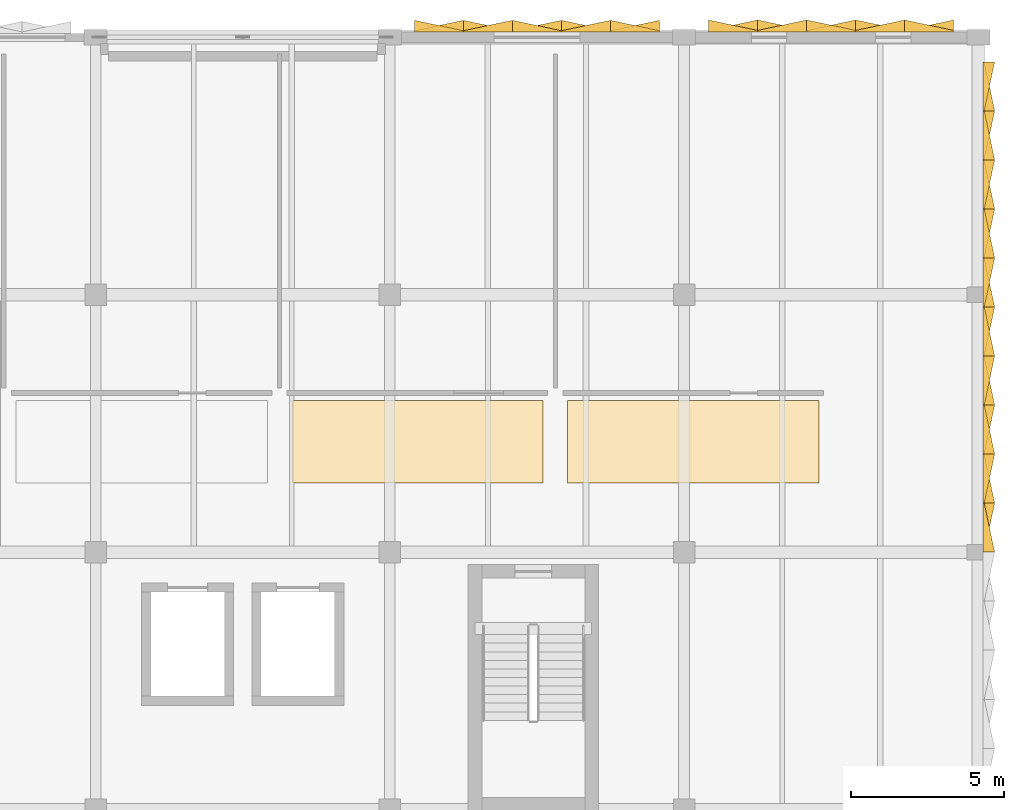
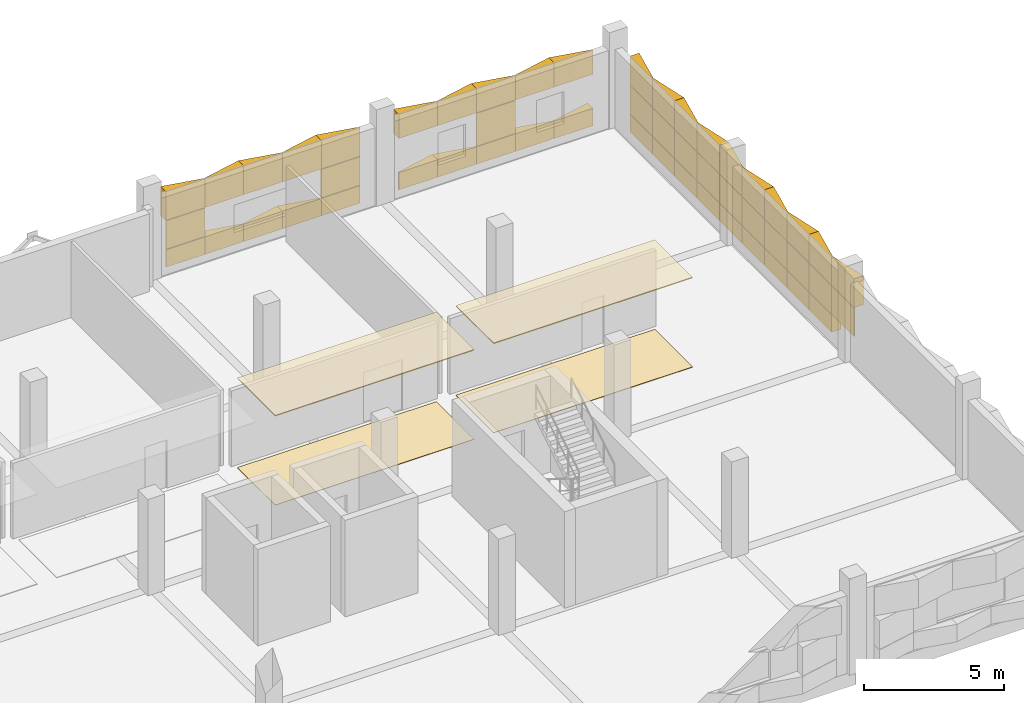
# One storey, part 57 of 57: 56 coverings.
"""IFC4 building model written with IfcOpenShell, lengths in metres."""

from ifc_helpers import new_model, si_unit, direction, frame, origin, place, context, subcontext, project, spatial, polyline, outline, extrude, material, layer, layer_set, type_object, element, save


model = new_model("IFC4")

# Units and contexts
model_context = context("Model", 3, precision=1e-05, world=origin(), true_north=direction((0.0, 1.0)))
body_context = subcontext(model_context, "Body", "Model", "MODEL_VIEW")
ifc_project = project(units=[si_unit("LENGTHUNIT", "METRE"), si_unit("AREAUNIT", "SQUARE_METRE"), si_unit("VOLUMEUNIT", "CUBIC_METRE"), si_unit("PLANEANGLEUNIT", "RADIAN"), si_unit("MASSUNIT", "GRAM", prefix="KILO")], contexts=[model_context])

# Site, building, storey
site_placement = place(None, origin())
site = spatial("IfcSite", under=ifc_project, at=site_placement, CompositionType="ELEMENT")
building_placement = place(site_placement, origin())
building = spatial("IfcBuilding", under=site, at=building_placement, Name="Oolite Switchyard Hospital", CompositionType="ELEMENT")
storey_placement = place(building_placement, frame((0.0, 0.0, 17.800048828125)))
storey = spatial("IfcBuildingStorey", under=building, at=storey_placement, Name="L04", CompositionType="ELEMENT", Elevation=17.800048828125)

# Coverings
ifc_material_1 = material(Name="Hygienic washable mineral-fibre acoustic ceiling")
ifc_layer_1 = layer(ifc_material_1, 0.0400390625)
ifc_layer_set_1 = layer_set([ifc_layer_1], Name="COV-CEIL-AC60")
covering_type_1 = type_object("IfcCoveringType", Name="COV-CEIL-AC60", PredefinedType="CEILING", material=ifc_layer_set_1)
covering_1_placement = place(storey_placement, frame((0.0, 0.0, 3.885009765625)))
element("IfcCovering", 1, at=covering_1_placement, inside=storey, type_object=covering_type_1, Name="L04 East Inpatient Oncology Ward Corridor Ceiling 7", PredefinedType="CEILING", context=body_context, shape_type="SweptSolid", body=[
    extrude(outline(polyline([(188.800048828125, 119.85009765625), (197.0, 119.85009765625), (197.0, 122.550048828125), (188.800048828125, 122.550048828125), (188.800048828125, 119.85009765625)])), origin(), (0.0, 0.0, 1.0), 0.0400390625),
])
covering_2_placement = place(storey_placement, frame((0.0, 0.0, 3.885009765625)))
element("IfcCovering", 2, at=covering_2_placement, inside=storey, type_object=covering_type_1, Name="L04 East Inpatient Oncology Ward Corridor Ceiling 8", PredefinedType="CEILING", context=body_context, shape_type="SweptSolid", body=[
    extrude(outline(polyline([(197.800048828125, 119.85009765625), (206.0, 119.85009765625), (206.0, 122.550048828125), (197.800048828125, 122.550048828125), (197.800048828125, 119.85009765625)])), origin(), (0.0, 0.0, 1.0), 0.0400390625),
])
ifc_material_2 = material(Name="Precast oolitic limestone architectural concrete C40/50", Category="masonry")
covering_type_2 = type_object("IfcCoveringType", Name="COV-CHEV-COOL", PredefinedType="CLADDING", material=ifc_material_2)
covering_3_placement = place(storey_placement, frame((192.800048828125, 134.570068359375, 0.050048828125), z_axis=(0.0, 0.0, 1.0), x_axis=(1.0, 0.0, 0.0)))
element("IfcCovering", 3, at=covering_3_placement, inside=storey, type_object=covering_type_2, Name="L04 Chevron Precast Oolite Panel 779", PredefinedType="CLADDING", context=body_context, shape_type="SweptSolid", body=[
    extrude(outline(polyline([(0.0, 0.0), (1.599853515625, 0.0), (1.599853515625, 0.385009765625), (0.0, 0.044921875), (0.0, 0.0)])), origin(), (0.0, 0.0, 1.0), 0.760009765625),
])
covering_4_placement = place(storey_placement, frame((192.800048828125, 134.570068359375, 2.08984375), z_axis=(0.0, 0.0, 1.0), x_axis=(1.0, 0.0, 0.0)))
element("IfcCovering", 4, at=covering_4_placement, inside=storey, type_object=covering_type_2, Name="L04 Chevron Precast Oolite Panel 780", PredefinedType="CLADDING", context=body_context, shape_type="SweptSolid", body=[
    extrude(outline(polyline([(0.0, 0.0), (1.599853515625, 0.0), (1.599853515625, 0.044921875), (0.0, 0.385009765625), (0.0, 0.0)])), origin(), (0.0, 0.0, 1.0), 1.25),
])
covering_5_placement = place(storey_placement, frame((192.800048828125, 134.570068359375, 0.829833984375), z_axis=(0.0, 0.0, 1.0), x_axis=(1.0, 0.0, 0.0)))
element("IfcCovering", 5, at=covering_5_placement, inside=storey, type_object=covering_type_2, Name="L04 Chevron Precast Oolite Panel 781", PredefinedType="CLADDING", context=body_context, shape_type="SweptSolid", body=[
    extrude(outline(polyline([(0.0, 0.0), (1.599853515625, 0.0), (1.599853515625, 0.385009765625), (0.0, 0.044921875), (0.0, 0.0)])), origin(), (0.0, 0.0, 1.0), 1.240234375),
])
covering_6_placement = place(storey_placement, frame((194.39990234375, 134.570068359375, 0.050048828125), z_axis=(0.0, 0.0, 1.0), x_axis=(1.0, 0.0, 0.0)))
element("IfcCovering", 6, at=covering_6_placement, inside=storey, type_object=covering_type_2, Name="L04 Chevron Precast Oolite Panel 782", PredefinedType="CLADDING", context=body_context, shape_type="SweptSolid", body=[
    extrude(outline(polyline([(0.0, 0.0), (1.60009765625, 0.0), (1.60009765625, 0.044921875), (0.0, 0.385009765625), (0.0, 0.0)])), origin(), (0.0, 0.0, 1.0), 0.760009765625),
])
covering_7_placement = place(storey_placement, frame((194.39990234375, 134.570068359375, 2.08984375), z_axis=(0.0, 0.0, 1.0), x_axis=(1.0, 0.0, 0.0)))
element("IfcCovering", 7, at=covering_7_placement, inside=storey, type_object=covering_type_2, Name="L04 Chevron Precast Oolite Panel 783", PredefinedType="CLADDING", context=body_context, shape_type="SweptSolid", body=[
    extrude(outline(polyline([(0.0, 0.0), (1.60009765625, 0.0), (1.60009765625, 0.385009765625), (0.0, 0.044921875), (0.0, 0.0)])), origin(), (0.0, 0.0, 1.0), 1.25),
])
covering_8_placement = place(storey_placement, frame((196.0, 134.570068359375, 0.050048828125), z_axis=(0.0, 0.0, 1.0), x_axis=(1.0, 0.0, 0.0)))
element("IfcCovering", 8, at=covering_8_placement, inside=storey, type_object=covering_type_2, Name="L04 Chevron Precast Oolite Panel 784", PredefinedType="CLADDING", context=body_context, shape_type="SweptSolid", body=[
    extrude(outline(polyline([(0.0, 0.0), (1.60009765625, 0.0), (1.60009765625, 0.385009765625), (0.0, 0.044921875), (0.0, 0.0)])), origin(), (0.0, 0.0, 1.0), 0.760009765625),
])
covering_9_placement = place(storey_placement, frame((196.0, 134.570068359375, 2.08984375), z_axis=(0.0, 0.0, 1.0), x_axis=(1.0, 0.0, 0.0)))
element("IfcCovering", 9, at=covering_9_placement, inside=storey, type_object=covering_type_2, Name="L04 Chevron Precast Oolite Panel 785", PredefinedType="CLADDING", context=body_context, shape_type="SweptSolid", body=[
    extrude(outline(polyline([(0.0, 0.0), (1.60009765625, 0.0), (1.60009765625, 0.044921875), (0.0, 0.385009765625), (0.0, 0.0)])), origin(), (0.0, 0.0, 1.0), 1.25),
])
covering_10_placement = place(storey_placement, frame((197.60009765625, 134.570068359375, 0.050048828125), z_axis=(0.0, 0.0, 1.0), x_axis=(1.0, 0.0, 0.0)))
element("IfcCovering", 10, at=covering_10_placement, inside=storey, type_object=covering_type_2, Name="L04 Chevron Precast Oolite Panel 786", PredefinedType="CLADDING", context=body_context, shape_type="SweptSolid", body=[
    extrude(outline(polyline([(0.0, 0.0), (1.599853515625, 0.0), (1.599853515625, 0.044921875), (0.0, 0.385009765625), (0.0, 0.0)])), origin(), (0.0, 0.0, 1.0), 0.760009765625),
])
covering_11_placement = place(storey_placement, frame((197.60009765625, 134.570068359375, 2.08984375), z_axis=(0.0, 0.0, 1.0), x_axis=(1.0, 0.0, 0.0)))
element("IfcCovering", 11, at=covering_11_placement, inside=storey, type_object=covering_type_2, Name="L04 Chevron Precast Oolite Panel 787", PredefinedType="CLADDING", context=body_context, shape_type="SweptSolid", body=[
    extrude(outline(polyline([(0.0, 0.0), (1.599853515625, 0.0), (1.599853515625, 0.385009765625), (0.0, 0.044921875), (0.0, 0.0)])), origin(), (0.0, 0.0, 1.0), 1.25),
])
covering_12_placement = place(storey_placement, frame((199.199951171875, 134.570068359375, 0.050048828125), z_axis=(0.0, 0.0, 1.0), x_axis=(1.0, 0.0, 0.0)))
element("IfcCovering", 12, at=covering_12_placement, inside=storey, type_object=covering_type_2, Name="L04 Chevron Precast Oolite Panel 788", PredefinedType="CLADDING", context=body_context, shape_type="SweptSolid", body=[
    extrude(outline(polyline([(0.0, 0.0), (1.60009765625, 0.0), (1.60009765625, 0.385009765625), (0.0, 0.044921875), (0.0, 0.0)])), origin(), (0.0, 0.0, 1.0), 0.760009765625),
])
covering_13_placement = place(storey_placement, frame((199.199951171875, 134.570068359375, 2.08984375), z_axis=(0.0, 0.0, 1.0), x_axis=(1.0, 0.0, 0.0)))
element("IfcCovering", 13, at=covering_13_placement, inside=storey, type_object=covering_type_2, Name="L04 Chevron Precast Oolite Panel 789", PredefinedType="CLADDING", context=body_context, shape_type="SweptSolid", body=[
    extrude(outline(polyline([(0.0, 0.0), (1.60009765625, 0.0), (1.60009765625, 0.044921875), (0.0, 0.385009765625), (0.0, 0.0)])), origin(), (0.0, 0.0, 1.0), 1.25),
])
covering_14_placement = place(storey_placement, frame((199.199951171875, 134.570068359375, 0.829833984375), z_axis=(0.0, 0.0, 1.0), x_axis=(1.0, 0.0, 0.0)))
element("IfcCovering", 14, at=covering_14_placement, inside=storey, type_object=covering_type_2, Name="L04 Chevron Precast Oolite Panel 790", PredefinedType="CLADDING", context=body_context, shape_type="SweptSolid", body=[
    extrude(outline(polyline([(0.0, 0.0), (1.60009765625, 0.0), (1.60009765625, 0.385009765625), (0.0, 0.044921875), (0.0, 0.0)])), origin(), (0.0, 0.0, 1.0), 1.240234375),
])
covering_15_placement = place(storey_placement, frame((202.39990234375, 134.580078125, 0.050048828125), z_axis=(0.0, 0.0, 1.0), x_axis=(1.0, 0.0, 0.0)))
element("IfcCovering", 15, at=covering_15_placement, inside=storey, type_object=covering_type_2, Name="L04 Chevron Precast Oolite Panel 791", PredefinedType="CLADDING", context=body_context, shape_type="SweptSolid", body=[
    extrude(outline(polyline([(0.0, 0.0), (1.60009765625, 0.0), (1.60009765625, 0.385009765625), (0.0, 0.044921875), (0.0, 0.0)])), origin(), (0.0, 0.0, 1.0), 0.760009765625),
])
covering_16_placement = place(storey_placement, frame((202.39990234375, 134.580078125, 2.2900390625), z_axis=(0.0, 0.0, 1.0), x_axis=(1.0, 0.0, 0.0)))
element("IfcCovering", 16, at=covering_16_placement, inside=storey, type_object=covering_type_2, Name="L04 Chevron Precast Oolite Panel 792", PredefinedType="CLADDING", context=body_context, shape_type="SweptSolid", body=[
    extrude(outline(polyline([(0.0, 0.0), (1.60009765625, 0.0), (1.60009765625, 0.044921875), (0.0, 0.385009765625), (0.0, 0.0)])), origin(), (0.0, 0.0, 1.0), 1.0498046875),
])
covering_17_placement = place(storey_placement, frame((204.0, 134.580078125, 0.050048828125), z_axis=(0.0, 0.0, 1.0), x_axis=(1.0, 0.0, 0.0)))
element("IfcCovering", 17, at=covering_17_placement, inside=storey, type_object=covering_type_2, Name="L04 Chevron Precast Oolite Panel 793", PredefinedType="CLADDING", context=body_context, shape_type="SweptSolid", body=[
    extrude(outline(polyline([(0.0, 0.0), (1.60009765625, 0.0), (1.60009765625, 0.044921875), (0.0, 0.385009765625), (0.0, 0.0)])), origin(), (0.0, 0.0, 1.0), 0.760009765625),
])
covering_18_placement = place(storey_placement, frame((204.0, 134.580078125, 2.2900390625), z_axis=(0.0, 0.0, 1.0), x_axis=(1.0, 0.0, 0.0)))
element("IfcCovering", 18, at=covering_18_placement, inside=storey, type_object=covering_type_2, Name="L04 Chevron Precast Oolite Panel 794", PredefinedType="CLADDING", context=body_context, shape_type="SweptSolid", body=[
    extrude(outline(polyline([(0.0, 0.0), (1.60009765625, 0.0), (1.60009765625, 0.385009765625), (0.0, 0.044921875), (0.0, 0.0)])), origin(), (0.0, 0.0, 1.0), 1.0498046875),
])
covering_19_placement = place(storey_placement, frame((205.60009765625, 134.580078125, 0.050048828125), z_axis=(0.0, 0.0, 1.0), x_axis=(1.0, 0.0, 0.0)))
element("IfcCovering", 19, at=covering_19_placement, inside=storey, type_object=covering_type_2, Name="L04 Chevron Precast Oolite Panel 795", PredefinedType="CLADDING", context=body_context, shape_type="SweptSolid", body=[
    extrude(outline(polyline([(0.0, 0.0), (1.599853515625, 0.0), (1.599853515625, 0.385009765625), (0.0, 0.044921875), (0.0, 0.0)])), origin(), (0.0, 0.0, 1.0), 0.760009765625),
])
covering_20_placement = place(storey_placement, frame((205.60009765625, 134.580078125, 2.2900390625), z_axis=(0.0, 0.0, 1.0), x_axis=(1.0, 0.0, 0.0)))
element("IfcCovering", 20, at=covering_20_placement, inside=storey, type_object=covering_type_2, Name="L04 Chevron Precast Oolite Panel 796", PredefinedType="CLADDING", context=body_context, shape_type="SweptSolid", body=[
    extrude(outline(polyline([(0.0, 0.0), (1.599853515625, 0.0), (1.599853515625, 0.044921875), (0.0, 0.385009765625), (0.0, 0.0)])), origin(), (0.0, 0.0, 1.0), 1.0498046875),
])
covering_21_placement = place(storey_placement, frame((205.60009765625, 134.580078125, 0.829833984375), z_axis=(0.0, 0.0, 1.0), x_axis=(1.0, 0.0, 0.0)))
element("IfcCovering", 21, at=covering_21_placement, inside=storey, type_object=covering_type_2, Name="L04 Chevron Precast Oolite Panel 797", PredefinedType="CLADDING", context=body_context, shape_type="SweptSolid", body=[
    extrude(outline(polyline([(0.0, 0.0), (1.599853515625, 0.0), (1.599853515625, 0.385009765625), (0.0, 0.044921875), (0.0, 0.0)])), origin(), (0.0, 0.0, 1.0), 1.440185546875),
])
covering_22_placement = place(storey_placement, frame((207.199951171875, 134.580078125, 0.050048828125), z_axis=(0.0, 0.0, 1.0), x_axis=(1.0, 0.0, 0.0)))
element("IfcCovering", 22, at=covering_22_placement, inside=storey, type_object=covering_type_2, Name="L04 Chevron Precast Oolite Panel 798", PredefinedType="CLADDING", context=body_context, shape_type="SweptSolid", body=[
    extrude(outline(polyline([(0.0, 0.0), (1.60009765625, 0.0), (1.60009765625, 0.044921875), (0.0, 0.385009765625), (0.0, 0.0)])), origin(), (0.0, 0.0, 1.0), 0.760009765625),
])
covering_23_placement = place(storey_placement, frame((207.199951171875, 134.580078125, 2.2900390625), z_axis=(0.0, 0.0, 1.0), x_axis=(1.0, 0.0, 0.0)))
element("IfcCovering", 23, at=covering_23_placement, inside=storey, type_object=covering_type_2, Name="L04 Chevron Precast Oolite Panel 799", PredefinedType="CLADDING", context=body_context, shape_type="SweptSolid", body=[
    extrude(outline(polyline([(0.0, 0.0), (1.60009765625, 0.0), (1.60009765625, 0.385009765625), (0.0, 0.044921875), (0.0, 0.0)])), origin(), (0.0, 0.0, 1.0), 1.0498046875),
])
covering_24_placement = place(storey_placement, frame((208.800048828125, 134.580078125, 0.050048828125), z_axis=(0.0, 0.0, 1.0), x_axis=(1.0, 0.0, 0.0)))
element("IfcCovering", 24, at=covering_24_placement, inside=storey, type_object=covering_type_2, Name="L04 Chevron Precast Oolite Panel 800", PredefinedType="CLADDING", context=body_context, shape_type="SweptSolid", body=[
    extrude(outline(polyline([(0.0, 0.0), (1.599853515625, 0.0), (1.599853515625, 0.385009765625), (0.0, 0.044921875), (0.0, 0.0)])), origin(), (0.0, 0.0, 1.0), 0.760009765625),
])
covering_25_placement = place(storey_placement, frame((208.800048828125, 134.580078125, 2.2900390625), z_axis=(0.0, 0.0, 1.0), x_axis=(1.0, 0.0, 0.0)))
element("IfcCovering", 25, at=covering_25_placement, inside=storey, type_object=covering_type_2, Name="L04 Chevron Precast Oolite Panel 801", PredefinedType="CLADDING", context=body_context, shape_type="SweptSolid", body=[
    extrude(outline(polyline([(0.0, 0.0), (1.599853515625, 0.0), (1.599853515625, 0.044921875), (0.0, 0.385009765625), (0.0, 0.0)])), origin(), (0.0, 0.0, 1.0), 1.0498046875),
])
covering_26_placement = place(storey_placement, frame((211.35009765625, 133.60009765625, 0.050048828125), z_axis=(0.0, 0.0, 1.0), x_axis=(0.0, -1.0, 0.0)))
element("IfcCovering", 26, at=covering_26_placement, inside=storey, type_object=covering_type_2, Name="L04 Chevron Precast Oolite Panel 987", PredefinedType="CLADDING", context=body_context, shape_type="SweptSolid", body=[
    extrude(outline(polyline([(0.0, 0.0), (1.60009765625, 0.0), (1.60009765625, 0.385009765625), (0.0, 0.044921875), (0.0, 0.0)])), origin(), (0.0, 0.0, 1.0), 0.760009765625),
])
covering_27_placement = place(storey_placement, frame((211.35009765625, 133.60009765625, 2.08984375), z_axis=(0.0, 0.0, 1.0), x_axis=(0.0, -1.0, 0.0)))
element("IfcCovering", 27, at=covering_27_placement, inside=storey, type_object=covering_type_2, Name="L04 Chevron Precast Oolite Panel 988", PredefinedType="CLADDING", context=body_context, shape_type="SweptSolid", body=[
    extrude(outline(polyline([(0.0, 0.0), (1.60009765625, 0.0), (1.60009765625, 0.044921875), (0.0, 0.385009765625), (0.0, 0.0)])), origin(), (0.0, 0.0, 1.0), 1.25),
])
covering_28_placement = place(storey_placement, frame((211.35009765625, 133.60009765625, 0.829833984375), z_axis=(0.0, 0.0, 1.0), x_axis=(0.0, -1.0, 0.0)))
element("IfcCovering", 28, at=covering_28_placement, inside=storey, type_object=covering_type_2, Name="L04 Chevron Precast Oolite Panel 989", PredefinedType="CLADDING", context=body_context, shape_type="SweptSolid", body=[
    extrude(outline(polyline([(0.0, 0.0), (1.60009765625, 0.0), (1.60009765625, 0.385009765625), (0.0, 0.044921875), (0.0, 0.0)])), origin(), (0.0, 0.0, 1.0), 1.240234375),
])
covering_29_placement = place(storey_placement, frame((211.35009765625, 132.0, 0.050048828125), z_axis=(0.0, 0.0, 1.0), x_axis=(0.0, -1.0, 0.0)))
element("IfcCovering", 29, at=covering_29_placement, inside=storey, type_object=covering_type_2, Name="L04 Chevron Precast Oolite Panel 990", PredefinedType="CLADDING", context=body_context, shape_type="SweptSolid", body=[
    extrude(outline(polyline([(0.0, 0.0), (1.60009765625, 0.0), (1.60009765625, 0.044921875), (0.0, 0.385009765625), (0.0, 0.0)])), origin(), (0.0, 0.0, 1.0), 0.760009765625),
])
covering_30_placement = place(storey_placement, frame((211.35009765625, 132.0, 2.08984375), z_axis=(0.0, 0.0, 1.0), x_axis=(0.0, -1.0, 0.0)))
element("IfcCovering", 30, at=covering_30_placement, inside=storey, type_object=covering_type_2, Name="L04 Chevron Precast Oolite Panel 991", PredefinedType="CLADDING", context=body_context, shape_type="SweptSolid", body=[
    extrude(outline(polyline([(0.0, 0.0), (1.60009765625, 0.0), (1.60009765625, 0.385009765625), (0.0, 0.044921875), (0.0, 0.0)])), origin(), (0.0, 0.0, 1.0), 1.25),
])
covering_31_placement = place(storey_placement, frame((211.35009765625, 132.0, 0.829833984375), z_axis=(0.0, 0.0, 1.0), x_axis=(0.0, -1.0, 0.0)))
element("IfcCovering", 31, at=covering_31_placement, inside=storey, type_object=covering_type_2, Name="L04 Chevron Precast Oolite Panel 992", PredefinedType="CLADDING", context=body_context, shape_type="SweptSolid", body=[
    extrude(outline(polyline([(0.0, 0.0), (1.60009765625, 0.0), (1.60009765625, 0.044921875), (0.0, 0.385009765625), (0.0, 0.0)])), origin(), (0.0, 0.0, 1.0), 1.240234375),
])
covering_32_placement = place(storey_placement, frame((211.35009765625, 130.39990234375, 0.050048828125), z_axis=(0.0, 0.0, 1.0), x_axis=(0.0, -1.0, 0.0)))
element("IfcCovering", 32, at=covering_32_placement, inside=storey, type_object=covering_type_2, Name="L04 Chevron Precast Oolite Panel 993", PredefinedType="CLADDING", context=body_context, shape_type="SweptSolid", body=[
    extrude(outline(polyline([(0.0, 0.0), (1.599853515625, 0.0), (1.599853515625, 0.385009765625), (0.0, 0.044921875), (0.0, 0.0)])), origin(), (0.0, 0.0, 1.0), 0.760009765625),
])
covering_33_placement = place(storey_placement, frame((211.35009765625, 130.39990234375, 2.08984375), z_axis=(0.0, 0.0, 1.0), x_axis=(0.0, -1.0, 0.0)))
element("IfcCovering", 33, at=covering_33_placement, inside=storey, type_object=covering_type_2, Name="L04 Chevron Precast Oolite Panel 994", PredefinedType="CLADDING", context=body_context, shape_type="SweptSolid", body=[
    extrude(outline(polyline([(0.0, 0.0), (1.599853515625, 0.0), (1.599853515625, 0.044921875), (0.0, 0.385009765625), (0.0, 0.0)])), origin(), (0.0, 0.0, 1.0), 1.25),
])
covering_34_placement = place(storey_placement, frame((211.35009765625, 130.39990234375, 0.829833984375), z_axis=(0.0, 0.0, 1.0), x_axis=(0.0, -1.0, 0.0)))
element("IfcCovering", 34, at=covering_34_placement, inside=storey, type_object=covering_type_2, Name="L04 Chevron Precast Oolite Panel 995", PredefinedType="CLADDING", context=body_context, shape_type="SweptSolid", body=[
    extrude(outline(polyline([(0.0, 0.0), (1.599853515625, 0.0), (1.599853515625, 0.385009765625), (0.0, 0.044921875), (0.0, 0.0)])), origin(), (0.0, 0.0, 1.0), 1.240234375),
])
covering_35_placement = place(storey_placement, frame((211.35009765625, 128.800048828125, 0.050048828125), z_axis=(0.0, 0.0, 1.0), x_axis=(0.0, -1.0, 0.0)))
element("IfcCovering", 35, at=covering_35_placement, inside=storey, type_object=covering_type_2, Name="L04 Chevron Precast Oolite Panel 996", PredefinedType="CLADDING", context=body_context, shape_type="SweptSolid", body=[
    extrude(outline(polyline([(0.0, 0.0), (1.60009765625, 0.0), (1.60009765625, 0.044921875), (0.0, 0.385009765625), (0.0, 0.0)])), origin(), (0.0, 0.0, 1.0), 0.760009765625),
])
covering_36_placement = place(storey_placement, frame((211.35009765625, 128.800048828125, 2.08984375), z_axis=(0.0, 0.0, 1.0), x_axis=(0.0, -1.0, 0.0)))
element("IfcCovering", 36, at=covering_36_placement, inside=storey, type_object=covering_type_2, Name="L04 Chevron Precast Oolite Panel 997", PredefinedType="CLADDING", context=body_context, shape_type="SweptSolid", body=[
    extrude(outline(polyline([(0.0, 0.0), (1.60009765625, 0.0), (1.60009765625, 0.385009765625), (0.0, 0.044921875), (0.0, 0.0)])), origin(), (0.0, 0.0, 1.0), 1.25),
])
covering_37_placement = place(storey_placement, frame((211.35009765625, 128.800048828125, 0.829833984375), z_axis=(0.0, 0.0, 1.0), x_axis=(0.0, -1.0, 0.0)))
element("IfcCovering", 37, at=covering_37_placement, inside=storey, type_object=covering_type_2, Name="L04 Chevron Precast Oolite Panel 998", PredefinedType="CLADDING", context=body_context, shape_type="SweptSolid", body=[
    extrude(outline(polyline([(0.0, 0.0), (1.60009765625, 0.0), (1.60009765625, 0.044921875), (0.0, 0.385009765625), (0.0, 0.0)])), origin(), (0.0, 0.0, 1.0), 1.240234375),
])
covering_38_placement = place(storey_placement, frame((211.35009765625, 127.199951171875, 0.050048828125), z_axis=(0.0, 0.0, 1.0), x_axis=(0.0, -1.0, 0.0)))
element("IfcCovering", 38, at=covering_38_placement, inside=storey, type_object=covering_type_2, Name="L04 Chevron Precast Oolite Panel 999", PredefinedType="CLADDING", context=body_context, shape_type="SweptSolid", body=[
    extrude(outline(polyline([(0.0, 0.0), (1.599853515625, 0.0), (1.599853515625, 0.385009765625), (0.0, 0.044921875), (0.0, 0.0)])), origin(), (0.0, 0.0, 1.0), 0.760009765625),
])
covering_39_placement = place(storey_placement, frame((211.35009765625, 127.199951171875, 2.08984375), z_axis=(0.0, 0.0, 1.0), x_axis=(0.0, -1.0, 0.0)))
element("IfcCovering", 39, at=covering_39_placement, inside=storey, type_object=covering_type_2, Name="L04 Chevron Precast Oolite Panel 1000", PredefinedType="CLADDING", context=body_context, shape_type="SweptSolid", body=[
    extrude(outline(polyline([(0.0, 0.0), (1.599853515625, 0.0), (1.599853515625, 0.044921875), (0.0, 0.385009765625), (0.0, 0.0)])), origin(), (0.0, 0.0, 1.0), 1.25),
])
covering_40_placement = place(storey_placement, frame((211.35009765625, 127.199951171875, 0.829833984375), z_axis=(0.0, 0.0, 1.0), x_axis=(0.0, -1.0, 0.0)))
element("IfcCovering", 40, at=covering_40_placement, inside=storey, type_object=covering_type_2, Name="L04 Chevron Precast Oolite Panel 1001", PredefinedType="CLADDING", context=body_context, shape_type="SweptSolid", body=[
    extrude(outline(polyline([(0.0, 0.0), (1.599853515625, 0.0), (1.599853515625, 0.385009765625), (0.0, 0.044921875), (0.0, 0.0)])), origin(), (0.0, 0.0, 1.0), 1.240234375),
])
covering_41_placement = place(storey_placement, frame((211.35009765625, 125.60009765625, 0.050048828125), z_axis=(0.0, 0.0, 1.0), x_axis=(0.0, -1.0, 0.0)))
element("IfcCovering", 41, at=covering_41_placement, inside=storey, type_object=covering_type_2, Name="L04 Chevron Precast Oolite Panel 1002", PredefinedType="CLADDING", context=body_context, shape_type="SweptSolid", body=[
    extrude(outline(polyline([(0.0, 0.0), (1.60009765625, 0.0), (1.60009765625, 0.044921875), (0.0, 0.385009765625), (0.0, 0.0)])), origin(), (0.0, 0.0, 1.0), 0.760009765625),
])
covering_42_placement = place(storey_placement, frame((211.35009765625, 125.60009765625, 2.08984375), z_axis=(0.0, 0.0, 1.0), x_axis=(0.0, -1.0, 0.0)))
element("IfcCovering", 42, at=covering_42_placement, inside=storey, type_object=covering_type_2, Name="L04 Chevron Precast Oolite Panel 1003", PredefinedType="CLADDING", context=body_context, shape_type="SweptSolid", body=[
    extrude(outline(polyline([(0.0, 0.0), (1.60009765625, 0.0), (1.60009765625, 0.385009765625), (0.0, 0.044921875), (0.0, 0.0)])), origin(), (0.0, 0.0, 1.0), 1.25),
])
covering_43_placement = place(storey_placement, frame((211.35009765625, 125.60009765625, 0.829833984375), z_axis=(0.0, 0.0, 1.0), x_axis=(0.0, -1.0, 0.0)))
element("IfcCovering", 43, at=covering_43_placement, inside=storey, type_object=covering_type_2, Name="L04 Chevron Precast Oolite Panel 1004", PredefinedType="CLADDING", context=body_context, shape_type="SweptSolid", body=[
    extrude(outline(polyline([(0.0, 0.0), (1.60009765625, 0.0), (1.60009765625, 0.044921875), (0.0, 0.385009765625), (0.0, 0.0)])), origin(), (0.0, 0.0, 1.0), 1.240234375),
])
covering_44_placement = place(storey_placement, frame((211.35009765625, 124.0, 0.050048828125), z_axis=(0.0, 0.0, 1.0), x_axis=(0.0, -1.0, 0.0)))
element("IfcCovering", 44, at=covering_44_placement, inside=storey, type_object=covering_type_2, Name="L04 Chevron Precast Oolite Panel 1005", PredefinedType="CLADDING", context=body_context, shape_type="SweptSolid", body=[
    extrude(outline(polyline([(0.0, 0.0), (1.60009765625, 0.0), (1.60009765625, 0.385009765625), (0.0, 0.044921875), (0.0, 0.0)])), origin(), (0.0, 0.0, 1.0), 0.760009765625),
])
covering_45_placement = place(storey_placement, frame((211.35009765625, 124.0, 2.08984375), z_axis=(0.0, 0.0, 1.0), x_axis=(0.0, -1.0, 0.0)))
element("IfcCovering", 45, at=covering_45_placement, inside=storey, type_object=covering_type_2, Name="L04 Chevron Precast Oolite Panel 1006", PredefinedType="CLADDING", context=body_context, shape_type="SweptSolid", body=[
    extrude(outline(polyline([(0.0, 0.0), (1.60009765625, 0.0), (1.60009765625, 0.044921875), (0.0, 0.385009765625), (0.0, 0.0)])), origin(), (0.0, 0.0, 1.0), 1.25),
])
covering_46_placement = place(storey_placement, frame((211.35009765625, 124.0, 0.829833984375), z_axis=(0.0, 0.0, 1.0), x_axis=(0.0, -1.0, 0.0)))
element("IfcCovering", 46, at=covering_46_placement, inside=storey, type_object=covering_type_2, Name="L04 Chevron Precast Oolite Panel 1007", PredefinedType="CLADDING", context=body_context, shape_type="SweptSolid", body=[
    extrude(outline(polyline([(0.0, 0.0), (1.60009765625, 0.0), (1.60009765625, 0.385009765625), (0.0, 0.044921875), (0.0, 0.0)])), origin(), (0.0, 0.0, 1.0), 1.240234375),
])
covering_47_placement = place(storey_placement, frame((211.35009765625, 122.39990234375, 0.050048828125), z_axis=(0.0, 0.0, 1.0), x_axis=(0.0, -1.0, 0.0)))
element("IfcCovering", 47, at=covering_47_placement, inside=storey, type_object=covering_type_2, Name="L04 Chevron Precast Oolite Panel 1008", PredefinedType="CLADDING", context=body_context, shape_type="SweptSolid", body=[
    extrude(outline(polyline([(0.0, 0.0), (1.599853515625, 0.0), (1.599853515625, 0.044921875), (0.0, 0.385009765625), (0.0, 0.0)])), origin(), (0.0, 0.0, 1.0), 0.760009765625),
])
covering_48_placement = place(storey_placement, frame((211.35009765625, 122.39990234375, 2.08984375), z_axis=(0.0, 0.0, 1.0), x_axis=(0.0, -1.0, 0.0)))
element("IfcCovering", 48, at=covering_48_placement, inside=storey, type_object=covering_type_2, Name="L04 Chevron Precast Oolite Panel 1009", PredefinedType="CLADDING", context=body_context, shape_type="SweptSolid", body=[
    extrude(outline(polyline([(0.0, 0.0), (1.599853515625, 0.0), (1.599853515625, 0.385009765625), (0.0, 0.044921875), (0.0, 0.0)])), origin(), (0.0, 0.0, 1.0), 1.25),
])
covering_49_placement = place(storey_placement, frame((211.35009765625, 122.39990234375, 0.829833984375), z_axis=(0.0, 0.0, 1.0), x_axis=(0.0, -1.0, 0.0)))
element("IfcCovering", 49, at=covering_49_placement, inside=storey, type_object=covering_type_2, Name="L04 Chevron Precast Oolite Panel 1010", PredefinedType="CLADDING", context=body_context, shape_type="SweptSolid", body=[
    extrude(outline(polyline([(0.0, 0.0), (1.599853515625, 0.0), (1.599853515625, 0.044921875), (0.0, 0.385009765625), (0.0, 0.0)])), origin(), (0.0, 0.0, 1.0), 1.240234375),
])
covering_50_placement = place(storey_placement, frame((211.35009765625, 120.800048828125, 0.050048828125), z_axis=(0.0, 0.0, 1.0), x_axis=(0.0, -1.0, 0.0)))
element("IfcCovering", 50, at=covering_50_placement, inside=storey, type_object=covering_type_2, Name="L04 Chevron Precast Oolite Panel 1011", PredefinedType="CLADDING", context=body_context, shape_type="SweptSolid", body=[
    extrude(outline(polyline([(0.0, 0.0), (1.60009765625, 0.0), (1.60009765625, 0.385009765625), (0.0, 0.044921875), (0.0, 0.0)])), origin(), (0.0, 0.0, 1.0), 0.760009765625),
])
covering_51_placement = place(storey_placement, frame((211.35009765625, 120.800048828125, 2.08984375), z_axis=(0.0, 0.0, 1.0), x_axis=(0.0, -1.0, 0.0)))
element("IfcCovering", 51, at=covering_51_placement, inside=storey, type_object=covering_type_2, Name="L04 Chevron Precast Oolite Panel 1012", PredefinedType="CLADDING", context=body_context, shape_type="SweptSolid", body=[
    extrude(outline(polyline([(0.0, 0.0), (1.60009765625, 0.0), (1.60009765625, 0.044921875), (0.0, 0.385009765625), (0.0, 0.0)])), origin(), (0.0, 0.0, 1.0), 1.25),
])
covering_52_placement = place(storey_placement, frame((211.35009765625, 120.800048828125, 0.829833984375), z_axis=(0.0, 0.0, 1.0), x_axis=(0.0, -1.0, 0.0)))
element("IfcCovering", 52, at=covering_52_placement, inside=storey, type_object=covering_type_2, Name="L04 Chevron Precast Oolite Panel 1013", PredefinedType="CLADDING", context=body_context, shape_type="SweptSolid", body=[
    extrude(outline(polyline([(0.0, 0.0), (1.60009765625, 0.0), (1.60009765625, 0.385009765625), (0.0, 0.044921875), (0.0, 0.0)])), origin(), (0.0, 0.0, 1.0), 1.240234375),
])
covering_53_placement = place(storey_placement, frame((211.35009765625, 119.199951171875, 2.08984375), z_axis=(0.0, 0.0, 1.0), x_axis=(0.0, -1.0, 0.0)))
element("IfcCovering", 53, at=covering_53_placement, inside=storey, type_object=covering_type_2, Name="L04 Chevron Precast Oolite Panel 1015", PredefinedType="CLADDING", context=body_context, shape_type="SweptSolid", body=[
    extrude(outline(polyline([(0.0, 0.0), (1.599853515625, 0.0), (1.599853515625, 0.385009765625), (0.0, 0.044921875), (0.0, 0.0)])), origin(), (0.0, 0.0, 1.0), 1.25),
])
covering_54_placement = place(storey_placement, frame((211.35009765625, 119.199951171875, 0.829833984375), z_axis=(0.0, 0.0, 1.0), x_axis=(0.0, -1.0, 0.0)))
element("IfcCovering", 54, at=covering_54_placement, inside=storey, type_object=covering_type_2, Name="L04 Chevron Precast Oolite Panel 1016", PredefinedType="CLADDING", context=body_context, shape_type="SweptSolid", body=[
    extrude(outline(polyline([(0.0, 0.0), (1.599853515625, 0.0), (1.599853515625, 0.044921875), (0.0, 0.385009765625), (0.0, 0.0)])), origin(), (0.0, 0.0, 1.0), 1.240234375),
])
ifc_material_3 = material(Name="Epoxy terrazzo seamless clinical flooring")
ifc_layer_2 = layer(ifc_material_3, 0.02001953125)
ifc_layer_set_2 = layer_set([ifc_layer_2], Name="COV-FLR-TER20")
covering_type_3 = type_object("IfcCoveringType", Name="COV-FLR-TER20", PredefinedType="FLOORING", material=ifc_layer_set_2)
covering_55_placement = place(storey_placement, origin())
element("IfcCovering", 55, at=covering_55_placement, inside=storey, type_object=covering_type_3, Name="L04 East Inpatient Oncology Ward Corridor Flooring 7", PredefinedType="FLOORING", context=body_context, shape_type="SweptSolid", body=[
    extrude(outline(polyline([(188.800048828125, 119.85009765625), (197.0, 119.85009765625), (197.0, 122.550048828125), (188.800048828125, 122.550048828125), (188.800048828125, 119.85009765625)])), origin(), (0.0, 0.0, 1.0), 0.02001953125),
])
covering_56_placement = place(storey_placement, origin())
element("IfcCovering", 56, at=covering_56_placement, inside=storey, type_object=covering_type_3, Name="L04 East Inpatient Oncology Ward Corridor Flooring 8", PredefinedType="FLOORING", context=body_context, shape_type="SweptSolid", body=[
    extrude(outline(polyline([(197.800048828125, 119.85009765625), (206.0, 119.85009765625), (206.0, 122.550048828125), (197.800048828125, 122.550048828125), (197.800048828125, 119.85009765625)])), origin(), (0.0, 0.0, 1.0), 0.02001953125),
])

save(model, "model.ifc")
